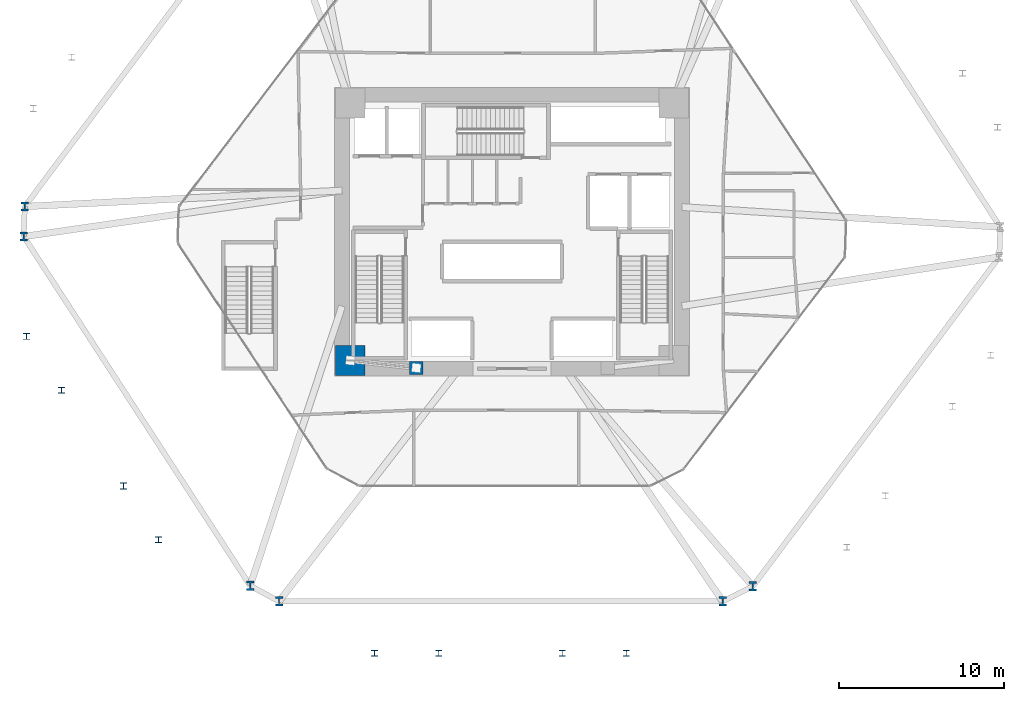
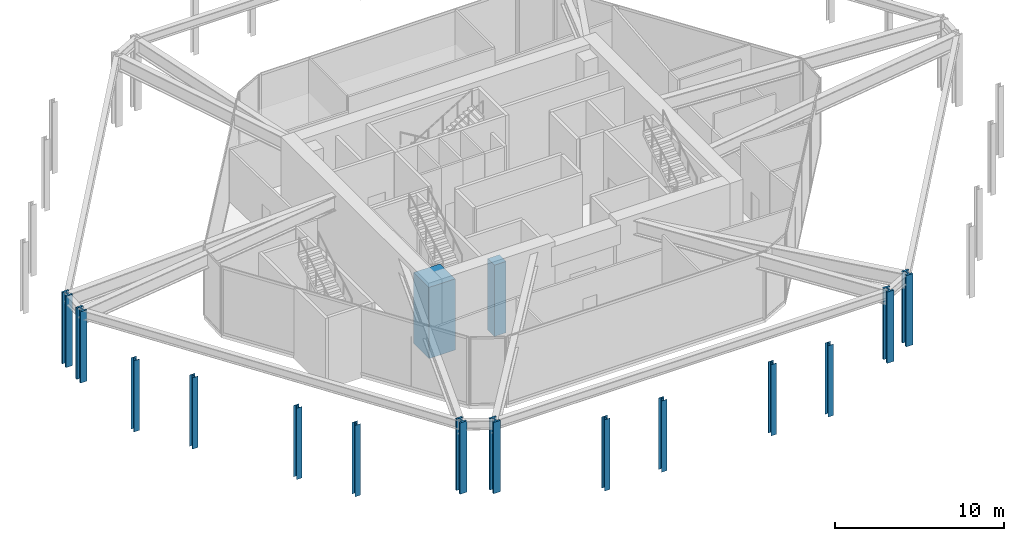
# One storey, part 1 of 16: 16 columns.
"""IFC4 building model written with IfcOpenShell, lengths in metres."""

from ifc_helpers import new_model, si_unit, direction, frame, origin, origin_2d, place, context, subcontext, project, spatial, rectangle, i_section, extrude, source, transform, mapped, material, material_profile, profile_set, type_object, type_shapes, element, save


model = new_model("IFC4")

# Units and contexts
model_context = context("Model", 3, precision=1e-05, world=origin(), true_north=direction((0.0, 1.0)))
body_context = subcontext(model_context, "Body", "Model", "MODEL_VIEW")
ifc_project = project(units=[si_unit("LENGTHUNIT", "METRE"), si_unit("AREAUNIT", "SQUARE_METRE"), si_unit("VOLUMEUNIT", "CUBIC_METRE"), si_unit("PLANEANGLEUNIT", "RADIAN"), si_unit("MASSUNIT", "GRAM", prefix="KILO")], contexts=[model_context])

# Site, building, storey
site_placement = place(None, origin())
site = spatial("IfcSite", under=ifc_project, at=site_placement, CompositionType="ELEMENT")
building_placement = place(site_placement, origin())
building = spatial("IfcBuilding", under=site, at=building_placement, Name="Durnholm Broadcast Tower", CompositionType="ELEMENT")
storey_placement = place(building_placement, frame((0.0, 0.0, 5.199951171875)))
storey = spatial("IfcBuildingStorey", under=building, at=storey_placement, Name="L01", CompositionType="ELEMENT", Elevation=5.199951171875)

# Columns
ifc_material_1 = material(Name="Concrete C70/85", Category="concrete")
ifc_material_profile_1 = material_profile(ifc_material_1, rectangle(XDim=1.800048828125, YDim=1.800048828125, at=origin_2d()), Name="RC1800X1800")
ifc_profile_set_1 = profile_set([ifc_material_profile_1], Name="Concrete C70/85")
column_type_1 = type_object("IfcColumnType", Name="COL-CC-1800", PredefinedType="COLUMN", material=ifc_profile_set_1)
shared_shape_1 = source(origin(), body_context, "Body", "SweptSolid", [
    extrude(rectangle(XDim=1.800048828125, YDim=1.800048828125, at=origin_2d()), origin(), (0.0, 0.0, 1.0), 5.150146484375),
])
type_shapes(column_type_1, [shared_shape_1])
column_1_placement = place(storey_placement, frame((-9.800048828125, -7.800048828125, -0.300048828125), z_axis=(0.0, 0.0, 1.0), x_axis=(1.0, 0.0, 0.0)))
element("IfcColumn", 1, at=column_1_placement, inside=storey, type_object=column_type_1, Name="L01 core corner column 1", PredefinedType="COLUMN", context=body_context, shape_type="MappedRepresentation", body=[
    mapped(shared_shape_1, transform((0.0, 0.0, 0.0), x_axis=(1.0, 0.0, 0.0), y_axis=(0.0, 1.0, 0.0), z_axis=(0.0, 0.0, 1.0), scale=1.0)),
])
ifc_material_profile_2 = material_profile(ifc_material_1, rectangle(XDim=0.800048828125, YDim=0.800048828125, at=origin_2d()), Name="RC800X800")
ifc_profile_set_2 = profile_set([ifc_material_profile_2], Name="Concrete C70/85")
column_type_2 = type_object("IfcColumnType", Name="COL-CP-800", PredefinedType="PILASTER", material=ifc_profile_set_2)
shared_shape_2 = source(origin(), body_context, "Body", "SweptSolid", [
    extrude(rectangle(XDim=0.800048828125, YDim=0.800048828125, at=origin_2d()), origin(), (0.0, 0.0, 1.0), 5.150146484375),
])
type_shapes(column_type_2, [shared_shape_2])
column_2_placement = place(storey_placement, frame((-5.800048828125, -8.25, -0.300048828125), z_axis=(0.0, 0.0, 1.0), x_axis=(1.0, 0.0, 0.0)))
element("IfcColumn", 2, at=column_2_placement, inside=storey, type_object=column_type_2, Name="L01 core hall structural pilaster 1", PredefinedType="PILASTER", context=body_context, shape_type="MappedRepresentation", body=[
    mapped(shared_shape_2, transform((0.0, 0.0, 0.0), x_axis=(1.0, 0.0, 0.0), y_axis=(0.0, 1.0, 0.0), z_axis=(0.0, 0.0, 1.0), scale=1.0)),
])
ifc_material_2 = material(Name="Steel ASTM A913 Grade 65", Category="steel")
ifc_material_profile_3 = material_profile(ifc_material_2, i_section(OverallWidth=0.454345703125, OverallDepth=0.569091796875, WebThickness=0.077880859375, FlangeThickness=0.124755859375, FilletRadius=0.030517578125, at=origin_2d()), Name="W14X730")
ifc_profile_set_3 = profile_set([ifc_material_profile_3], Name="Steel ASTM A913 Grade 65")
column_type_3 = type_object("IfcColumnType", Name="STL-SC-W14X730", PredefinedType="COLUMN", material=ifc_profile_set_3)
shared_shape_3 = source(origin(), body_context, "Body", "SweptSolid", [
    extrude(i_section(OverallWidth=0.454345703125, OverallDepth=0.569091796875, WebThickness=0.077880859375, FlangeThickness=0.124755859375, FilletRadius=0.030517578125, at=origin_2d()), origin(), (0.0, 0.0, 1.0), 5.150146484375),
])
type_shapes(column_type_3, [shared_shape_3])
for number, where, z_axis, x_axis, name in (
    (3, (-15.866455078125, -21.45068359375, -0.300048828125), (0.0, 0.0, 1.0), (1.0, 0.0, 0.0), "L01 perimeter hexagonal tube column 01"),
    (4, (-29.590576171875, -0.28857421875, -0.300048828125), (0.0, 0.0, 1.0), (1.0, 0.0, 0.0), "L01 perimeter hexagonal tube column 02"),
    (5, (-29.529296875, 1.530517578125, -0.300048828125), (0.0, 0.0, 1.0), (1.0, 0.0, 0.0), "L01 perimeter hexagonal tube column 03"),
    (6, (14.594482421875, -21.487548828125, -0.300048828125), (0.0, 0.0, 1.0), (1.0, 0.0, 0.0), "L01 perimeter hexagonal tube column 10"),
    (7, (12.77197265625, -22.39990234375, -0.300048828125), (0.0, 0.0, 1.0), (1.0, 0.0, 0.0), "L01 perimeter hexagonal tube column 11"),
    (8, (-14.119384765625, -22.39990234375, -0.300048828125), (0.0, 0.0, 1.0), (1.0, 0.0, 0.0), "L01 perimeter hexagonal tube column 12"),
):
    element("IfcColumn", number, at=place(storey_placement, frame(where, z_axis=z_axis, x_axis=x_axis)), inside=storey, type_object=column_type_3, Name=name, PredefinedType="COLUMN", context=body_context, shape_type="MappedRepresentation", body=[
        mapped(shared_shape_3, transform((0.0, 0.0, 0.0), x_axis=(1.0, 0.0, 0.0), y_axis=(0.0, 1.0, 0.0), z_axis=(0.0, 0.0, 1.0), scale=1.0)),
    ])
ifc_material_3 = material(Name="Steel ASTM A992 Grade 50", Category="steel")
ifc_material_profile_4 = material_profile(ifc_material_3, i_section(OverallWidth=0.37255859375, OverallDepth=0.367919921875, WebThickness=0.014892578125, FlangeThickness=0.02392578125, FilletRadius=0.030517578125, at=origin_2d()), Name="W14X120")
ifc_profile_set_4 = profile_set([ifc_material_profile_4], Name="Steel ASTM A992 Grade 50")
column_type_4 = type_object("IfcColumnType", Name="STL-SC-W14X120", PredefinedType="COLUMN", material=ifc_profile_set_4)
shared_shape_4 = source(origin(), body_context, "Body", "SweptSolid", [
    extrude(i_section(OverallWidth=0.37255859375, OverallDepth=0.367919921875, WebThickness=0.014892578125, FlangeThickness=0.02392578125, FilletRadius=0.030517578125, at=origin_2d()), origin(), (0.0, 0.0, 1.0), 5.150146484375),
])
type_shapes(column_type_4, [shared_shape_4])
for number, where, z_axis, x_axis, name in (
    (9, (-8.3330078125, -25.550048828125, -0.300048828125), (0.0, 0.0, 1.0), (1.0, 0.0, 0.0), "L01 stand-off exoskeleton pilotis column F1.1"),
    (10, (-4.444580078125, -25.550048828125, -0.300048828125), (0.0, 0.0, 1.0), (1.0, 0.0, 0.0), "L01 stand-off exoskeleton pilotis column F1.2"),
    (11, (3.041259765625, -25.550048828125, -0.300048828125), (0.0, 0.0, 1.0), (1.0, 0.0, 0.0), "L01 stand-off exoskeleton pilotis column F1.3"),
    (12, (6.9296875, -25.550048828125, -0.300048828125), (0.0, 0.0, 1.0), (1.0, 0.0, 0.0), "L01 stand-off exoskeleton pilotis column F1.4"),
    (13, (-29.42041015625, -6.340087890625, -0.300048828125), (0.0, 0.0, 1.0), (1.0, 0.0, 0.0), "L01 stand-off exoskeleton pilotis column F6.1"),
    (14, (-27.3046875, -9.6025390625, -0.300048828125), (0.0, 0.0, 1.0), (1.0, 0.0, 0.0), "L01 stand-off exoskeleton pilotis column F6.2"),
    (15, (-23.541015625, -15.40576171875, -0.300048828125), (0.0, 0.0, 1.0), (1.0, 0.0, 0.0), "L01 stand-off exoskeleton pilotis column F6.3"),
    (16, (-21.42529296875, -18.668212890625, -0.300048828125), (0.0, 0.0, 1.0), (1.0, 0.0, 0.0), "L01 stand-off exoskeleton pilotis column F6.4"),
):
    element("IfcColumn", number, at=place(storey_placement, frame(where, z_axis=z_axis, x_axis=x_axis)), inside=storey, type_object=column_type_4, Name=name, PredefinedType="COLUMN", context=body_context, shape_type="MappedRepresentation", body=[
        mapped(shared_shape_4, transform((0.0, 0.0, 0.0), x_axis=(1.0, 0.0, 0.0), y_axis=(0.0, 1.0, 0.0), z_axis=(0.0, 0.0, 1.0), scale=1.0)),
    ])

save(model, "model.ifc")
